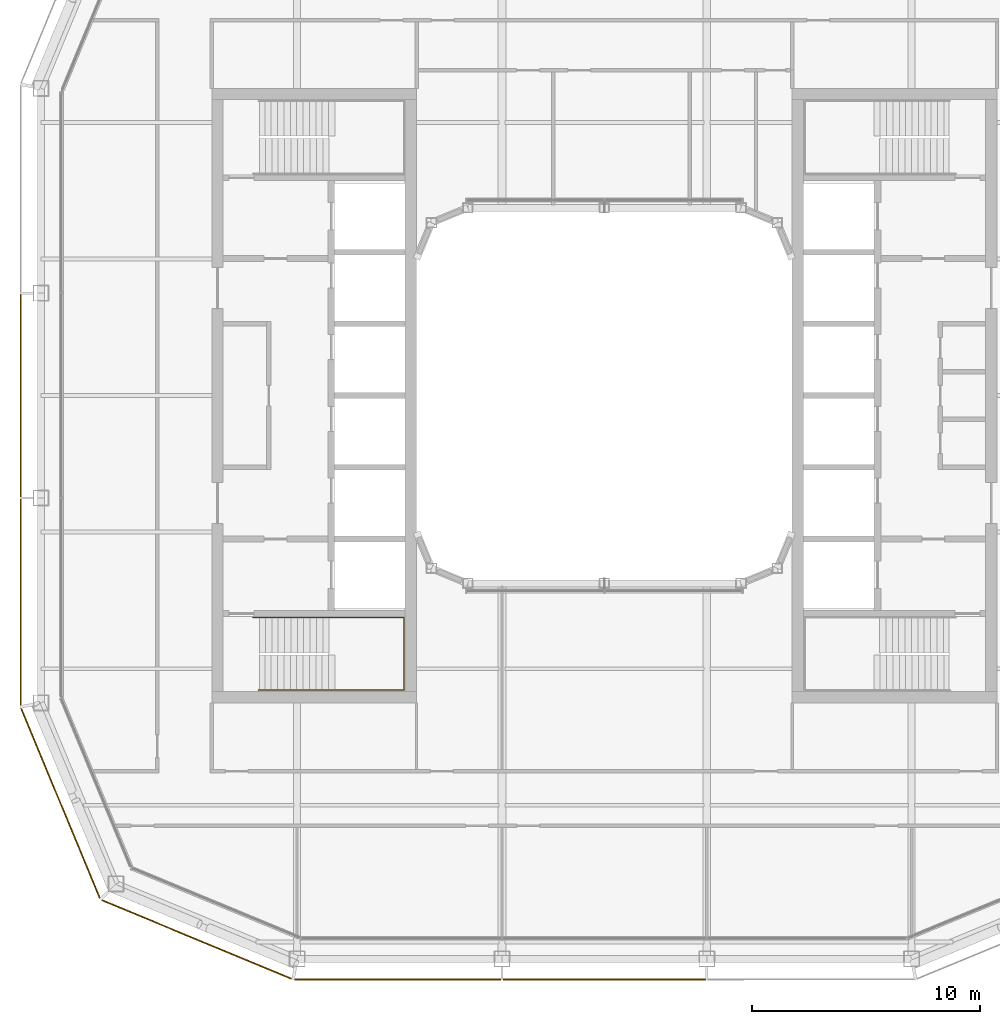
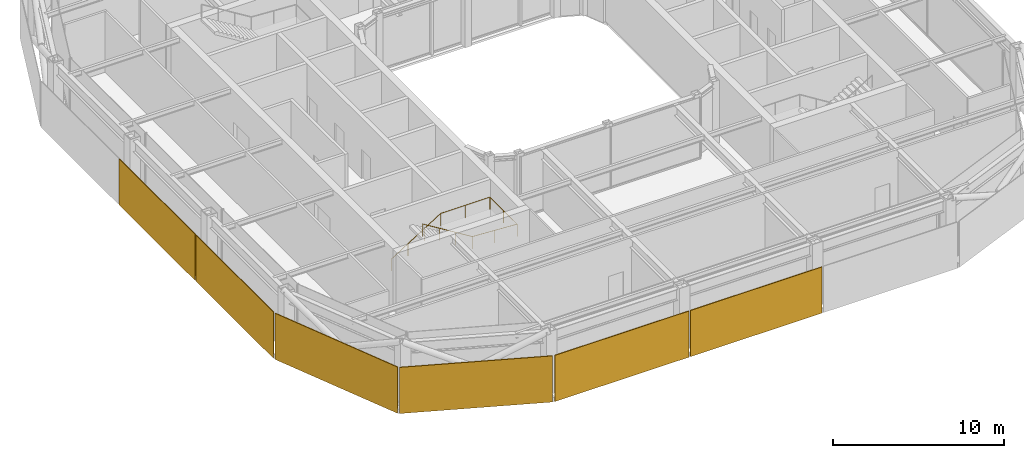
# One storey, part 17 of 21: 6 coverings, 1 railing.
"""IFC4 building model written with IfcOpenShell, lengths in metres."""

from ifc_helpers import new_model, si_unit, direction, frame, origin, origin_2d, place, context, subcontext, project, spatial, rectangle, circle, extrude, material, layer, layer_set, type_object, element, save


model = new_model("IFC4")

# Units and contexts
model_context = context("Model", 3, precision=1e-05, world=origin(), true_north=direction((0.0, 1.0)))
body_context = subcontext(model_context, "Body", "Model", "MODEL_VIEW")
ifc_project = project(units=[si_unit("LENGTHUNIT", "METRE"), si_unit("AREAUNIT", "SQUARE_METRE"), si_unit("VOLUMEUNIT", "CUBIC_METRE"), si_unit("PLANEANGLEUNIT", "RADIAN"), si_unit("MASSUNIT", "GRAM", prefix="KILO")], contexts=[model_context])

# Site, building, storey
site_placement = place(None, origin())
site = spatial("IfcSite", under=ifc_project, at=site_placement, CompositionType="ELEMENT")
building_placement = place(site_placement, origin())
building = spatial("IfcBuilding", under=site, at=building_placement, Name="Siwar Civic Tower", CompositionType="ELEMENT")
storey_placement = place(building_placement, frame((0.0, 0.0, 325.699951171875)))
storey = spatial("IfcBuildingStorey", under=building, at=storey_placement, Name="L70", CompositionType="ELEMENT", Elevation=325.699951171875)

# Railing
ifc_material_1 = material(Name="Stainless steel", Category="steel")
railing_type = type_object("IfcRailingType", Name="CORE-STAIR-HANDRAIL", PredefinedType="HANDRAIL", material=ifc_material_1)
railing_placement = place(storey_placement, frame((-15.449951171875, -9.758056640625, 0.173095703125)))
element("IfcRailing", 1, at=railing_placement, inside=storey, type_object=railing_type, Name="Stair handrail ST2", PredefinedType="HANDRAIL", context=body_context, shape_type="SweptSolid", body=[
    extrude(circle(Radius=0.02001953125, at=origin_2d()), frame((0.0, 0.0, 0.8798828125), z_axis=(0.847063342986, 0.0, 0.531491950051), x_axis=(0.0, 1.0, 0.0)), (0.0, 0.0, 1.0), 3.90771484375),
    extrude(circle(Radius=0.02001953125, at=origin_2d()), frame((3.31005859375, 0.0, 2.956787109375), z_axis=(1.0, 0.0, 0.0), x_axis=(0.0, 1.0, 0.0)), (0.0, 0.0, 1.0), 3.331787109375),
    extrude(circle(Radius=0.02001953125, at=origin_2d()), frame((6.641845703125, 0.0, 2.956787109375), z_axis=(0.0, -1.0, 0.0), x_axis=(1.0, 0.0, 0.0)), (0.0, 0.0, 1.0), 3.183837890625),
    extrude(circle(Radius=0.02001953125, at=origin_2d()), frame((6.641845703125, -3.183837890625, 2.956787109375), z_axis=(-0.99837434197, 0.0, 0.056997134106), x_axis=(0.0, -1.0, 0.0)), (0.0, 0.0, 1.0), 3.036865234375),
    extrude(circle(Radius=0.02001953125, at=origin_2d()), frame((3.60986328125, -3.183837890625, 3.1298828125), z_axis=(-0.850606129759, 0.0, 0.525803396734), x_axis=(0.0, -1.0, 0.0)), (0.0, 0.0, 1.0), 3.949951171875),
    extrude(circle(Radius=0.02001953125, at=origin_2d()), origin(), (0.0, 0.0, 1.0), 0.85986328125),
    extrude(circle(Radius=0.02001953125, at=origin_2d()), frame((1.103271484375, 0.0, 0.6923828125)), (0.0, 0.0, 1.0), 0.85986328125),
    extrude(circle(Radius=0.02001953125, at=origin_2d()), frame((2.206787109375, 0.0, 1.384521484375)), (0.0, 0.0, 1.0), 0.85986328125),
    extrude(circle(Radius=0.02001953125, at=origin_2d()), frame((3.31005859375, 0.0, 2.076904296875)), (0.0, 0.0, 1.0), 0.85986328125),
    extrude(circle(Radius=0.02001953125, at=origin_2d()), frame((4.97607421875, 0.0, 2.076904296875)), (0.0, 0.0, 1.0), 0.85986328125),
    extrude(circle(Radius=0.02001953125, at=origin_2d()), frame((6.641845703125, 0.0, 2.076904296875)), (0.0, 0.0, 1.0), 0.85986328125),
    extrude(circle(Radius=0.02001953125, at=origin_2d()), frame((6.641845703125, -1.591796875, 2.076904296875)), (0.0, 0.0, 1.0), 0.85986328125),
    extrude(circle(Radius=0.02001953125, at=origin_2d()), frame((6.641845703125, -3.183837890625, 2.076904296875)), (0.0, 0.0, 1.0), 0.85986328125),
    extrude(circle(Radius=0.02001953125, at=origin_2d()), frame((5.1259765625, -3.183837890625, 2.16357421875)), (0.0, 0.0, 1.0), 0.85986328125),
    extrude(circle(Radius=0.02001953125, at=origin_2d()), frame((3.60986328125, -3.183837890625, 2.25)), (0.0, 0.0, 1.0), 0.85986328125),
    extrude(circle(Radius=0.02001953125, at=origin_2d()), frame((2.489990234375, -3.183837890625, 2.9423828125)), (0.0, 0.0, 1.0), 0.85986328125),
    extrude(circle(Radius=0.02001953125, at=origin_2d()), frame((1.369873046875, -3.183837890625, 3.634521484375)), (0.0, 0.0, 1.0), 0.85986328125),
    extrude(circle(Radius=0.02001953125, at=origin_2d()), frame((0.25, -3.183837890625, 4.326904296875)), (0.0, 0.0, 1.0), 0.85986328125),
])

# Coverings
ifc_material_2 = material(Name="Perforated aluminium cassette, pale metal", Category="aluminium")
ifc_layer_1 = layer(ifc_material_2, 0.050048828125)
ifc_layer_set_1 = layer_set([ifc_layer_1], Name="Perforated aluminium cassette, pale metal")
covering_type_1 = type_object("IfcCoveringType", Name="ENV-OUTER SKIN OS-3", PredefinedType="CLADDING", material=ifc_layer_set_1)
covering_1_placement = place(storey_placement, frame((-25.64990234375, 0.0, -0.14990234375), z_axis=(0.0, 0.0, 1.0), x_axis=(0.0, -1.0, 0.0)))
element("IfcCovering", 2, at=covering_1_placement, inside=storey, type_object=covering_type_1, Name="OUTER SKIN OS-3 W 2", PredefinedType="CLADDING", context=body_context, shape_type="SweptSolid", body=[
    extrude(rectangle(XDim=8.89990234375, YDim=0.050048828125, at=origin_2d()), origin(), (0.0, 0.0, 1.0), 3.300048828125),
])
covering_2_placement = place(storey_placement, frame((-25.64990234375, -9.07958984375, -0.14990234375), z_axis=(0.0, 0.0, 1.0), x_axis=(0.0, -1.0, 0.0)))
element("IfcCovering", 3, at=covering_2_placement, inside=storey, type_object=covering_type_1, Name="OUTER SKIN OS-3 W 3", PredefinedType="CLADDING", context=body_context, shape_type="SweptSolid", body=[
    extrude(rectangle(XDim=9.05908203125, YDim=0.050048828125, at=origin_2d()), origin(), (0.0, 0.0, 1.0), 3.300048828125),
])
ifc_material_3 = material(Name="Perforated aluminium cassette, pale metal", Category="aluminium")
ifc_layer_2 = layer(ifc_material_3, 0.054931640625)
ifc_layer_set_2 = layer_set([ifc_layer_2], Name="Perforated aluminium cassette, pale metal")
covering_type_2 = type_object("IfcCoveringType", Name="ENV-OUTER SKIN OS-4", PredefinedType="CLADDING", material=ifc_layer_set_2)
covering_3_placement = place(storey_placement, frame((-9.07958984375, -25.64990234375, -0.14990234375), z_axis=(0.0, 0.0, 1.0), x_axis=(1.0, 0.0, 0.0)))
element("IfcCovering", 4, at=covering_3_placement, inside=storey, type_object=covering_type_2, Name="OUTER SKIN OS-4 S 1", PredefinedType="CLADDING", context=body_context, shape_type="SweptSolid", body=[
    extrude(rectangle(XDim=9.05908203125, YDim=0.054931640625, at=origin_2d()), origin(), (0.0, 0.0, 1.0), 3.300048828125),
])
covering_4_placement = place(storey_placement, frame((0.0, -25.64990234375, -0.14990234375), z_axis=(0.0, 0.0, 1.0), x_axis=(1.0, 0.0, 0.0)))
element("IfcCovering", 5, at=covering_4_placement, inside=storey, type_object=covering_type_2, Name="OUTER SKIN OS-4 S 2", PredefinedType="CLADDING", context=body_context, shape_type="SweptSolid", body=[
    extrude(rectangle(XDim=8.89990234375, YDim=0.054931640625, at=origin_2d()), origin(), (0.0, 0.0, 1.0), 3.300048828125),
])
for number, where, z_axis, x_axis, name in (
    (6, (-23.89697265625, -17.911376953125, -0.14990234375), (0.0, 0.0, 1.0), (0.382683432365, -0.923879532511, 0.0), "OUTER SKIN OS-4 SW1 1"),
    (7, (-17.911376953125, -23.89697265625, -0.14990234375), (0.0, 0.0, 1.0), (0.923879532511, -0.382683432365, 0.0), "OUTER SKIN OS-4 SW2 1"),
):
    element("IfcCovering", number, at=place(storey_placement, frame(where, z_axis=z_axis, x_axis=x_axis)), inside=storey, type_object=covering_type_2, Name=name, PredefinedType="CLADDING", context=body_context, shape_type="SweptSolid", body=[
        extrude(rectangle(XDim=9.022216796875, YDim=0.054931640625, at=origin_2d()), origin(), (0.0, 0.0, 1.0), 3.300048828125),
    ])

save(model, "model.ifc")
